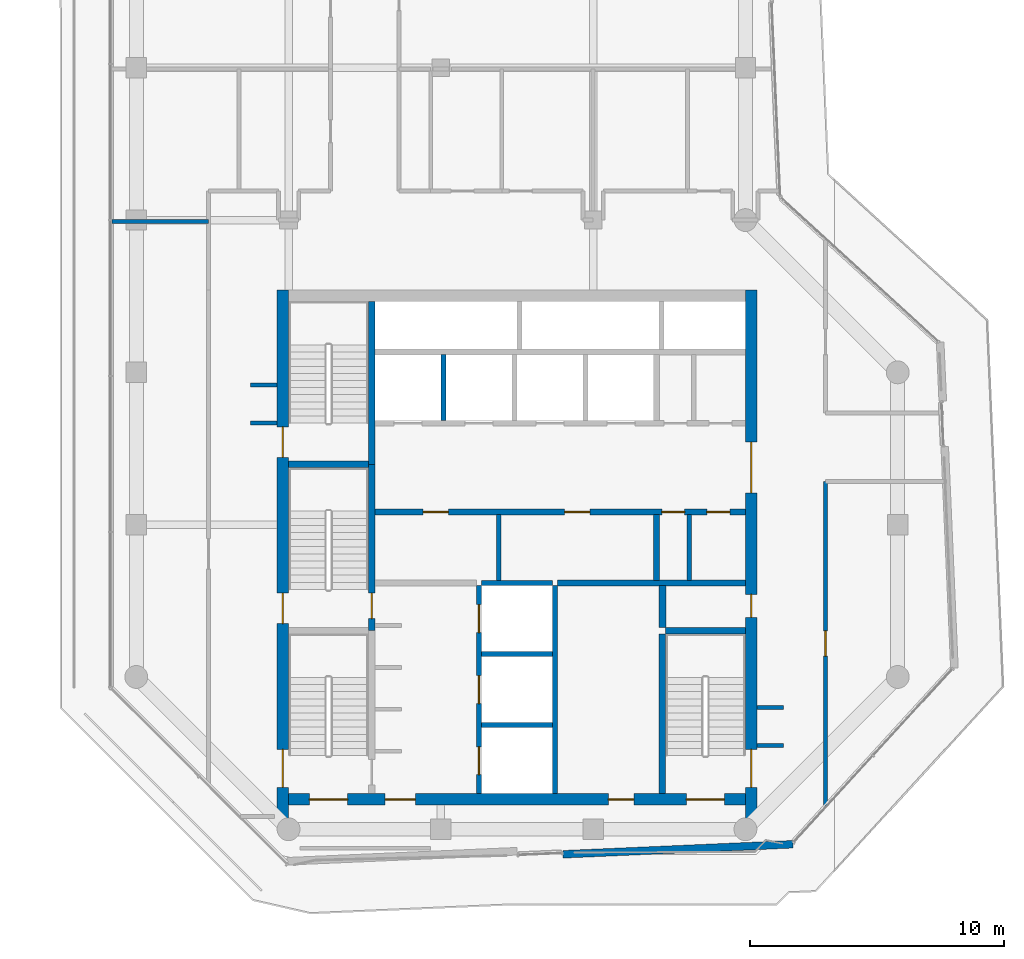
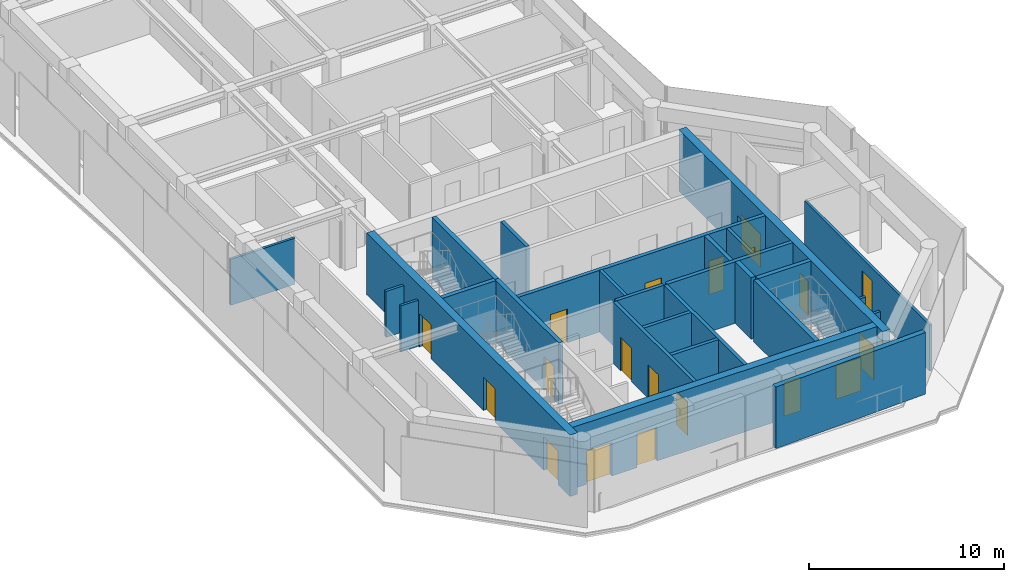
# One storey, part 17 of 21: 27 walls, 19 doors, 19 openings.
"""IFC4 building model written with IfcOpenShell, lengths in metres."""

from ifc_helpers import new_model, si_unit, direction, frame, frame_2d, origin, place, context, subcontext, project, spatial, rectangle, extrude, material, layer, layer_set, type_object, element, fill, save


model = new_model("IFC4")

# Units and contexts
model_context = context("Model", 3, precision=1e-05, world=origin(), true_north=direction((0.0, 1.0)))
body_context = subcontext(model_context, "Body", "Model", "MODEL_VIEW")
ifc_project = project(units=[si_unit("LENGTHUNIT", "METRE"), si_unit("AREAUNIT", "SQUARE_METRE"), si_unit("VOLUMEUNIT", "CUBIC_METRE"), si_unit("PLANEANGLEUNIT", "RADIAN"), si_unit("MASSUNIT", "GRAM", prefix="KILO")], contexts=[model_context])

# Site, building, storey
site_placement = place(None, origin())
site = spatial("IfcSite", under=ifc_project, at=site_placement, CompositionType="ELEMENT")
building_placement = place(site_placement, origin())
building = spatial("IfcBuilding", under=site, at=building_placement, Name="Welwitschia Terrace Campus", CompositionType="ELEMENT")
storey_placement = place(building_placement, frame((0.0, 0.0, 218.0)))
storey = spatial("IfcBuildingStorey", under=building, at=storey_placement, Name="L48", CompositionType="ELEMENT", Elevation=218.0)

# Walls
ifc_material_1 = material(Name="Concrete C32/40", Category="concrete")
ifc_layer_1 = layer(ifc_material_1, 0.175048828125)
ifc_layer_set_1 = layer_set([ifc_layer_1], Name="Concrete C32/40")
wall_type_1 = type_object("IfcWallType", Name="Core partition 175 Concrete C32/40", PredefinedType="PARTITIONING", material=ifc_layer_set_1)
for number, where, z_axis, x_axis, name in (
    (1, (14.27490234375, 13.800048828125, 0.0), (0.0, 0.0, 1.0), (0.0, 1.0, 0.0), "Core partition"),
    (2, (21.7900390625, 13.800048828125, 0.0), (0.0, 0.0, 1.0), (0.0, 1.0, 0.0), "Core partition"),
):
    element("IfcWall", number, at=place(storey_placement, frame(where, z_axis=z_axis, x_axis=x_axis)), inside=storey, type_object=wall_type_1, Name=name, PredefinedType="PARTITIONING", context=body_context, shape_type="SweptSolid", body=[
        extrude(rectangle(XDim=2.599853515625, YDim=0.175048828125, at=frame_2d((1.2998046875, 0.0))), origin(), (0.0, 0.0, 1.0), 3.85009765625),
    ])
ifc_material_2 = material(Name="Concrete C32/40", Category="concrete")
ifc_layer_2 = layer(ifc_material_2, 0.22509765625)
ifc_layer_set_2 = layer_set([ifc_layer_2], Name="Concrete C32/40")
wall_type_2 = type_object("IfcWallType", Name="Core partition 225 Concrete C32/40", PredefinedType="PARTITIONING", material=ifc_layer_set_2)
wall_1_placement = place(storey_placement, frame((16.60009765625, 13.699951171875, 0.0), z_axis=(0.0, 0.0, 1.0), x_axis=(1.0, 0.0, 0.0)))
element("IfcWall", 3, at=wall_1_placement, inside=storey, type_object=wall_type_2, Name="Core partition", PredefinedType="PARTITIONING", context=body_context, shape_type="SweptSolid", body=[
    extrude(rectangle(XDim=7.39990234375, YDim=0.22509765625, at=frame_2d((3.699951171875, 0.0))), origin(), (0.0, 0.0, 1.0), 3.85009765625),
])

# Wall, openings, doors
wall_2_placement = place(storey_placement, frame((9.39990234375, 16.5, 0.0), z_axis=(0.0, 0.0, 1.0), x_axis=(1.0, 0.0, 0.0)))
wall_2 = element("IfcWall", 4, at=wall_2_placement, inside=storey, type_object=wall_type_2, Name="Core partition", PredefinedType="PARTITIONING", context=body_context, shape_type="SweptSolid", body=[
    extrude(rectangle(XDim=14.60009765625, YDim=0.22509765625, at=frame_2d((7.300048828125, 0.0))), origin(), (0.0, 0.0, 1.0), 3.85009765625),
])
opening_1_placement = place(wall_2_placement, frame((1.89990234375, 0.0, 0.0)))
opening_1 = element("IfcOpeningElement", 5, at=opening_1_placement, cuts=wall_2, Name="Opening DR10", PredefinedType="OPENING", context=body_context, shape_type="SweptSolid", body=[
    extrude(rectangle(XDim=1.0, YDim=2.10009765625, at=frame_2d((0.5, 1.050048828125))), frame((0.0, 0.12255859375, 0.0), z_axis=(0.0, -1.0, 0.0), x_axis=(1.0, 0.0, 0.0)), (0.0, 0.0, 1.0), 0.2451171875),
])
opening_2_placement = place(wall_2_placement, frame((7.47509765625, 0.0, 0.0)))
opening_2 = element("IfcOpeningElement", 6, at=opening_2_placement, cuts=wall_2, Name="Opening DR10", PredefinedType="OPENING", context=body_context, shape_type="SweptSolid", body=[
    extrude(rectangle(XDim=1.0, YDim=2.10009765625, at=frame_2d((0.5, 1.050048828125))), frame((0.0, 0.12255859375, 0.0), z_axis=(0.0, -1.0, 0.0), x_axis=(1.0, 0.0, 0.0)), (0.0, 0.0, 1.0), 0.2451171875),
])
opening_3_placement = place(wall_2_placement, frame((11.3076171875, 0.0, 0.0)))
opening_3 = element("IfcOpeningElement", 7, at=opening_3_placement, cuts=wall_2, Name="Opening DR09", PredefinedType="OPENING", context=body_context, shape_type="SweptSolid", body=[
    extrude(rectangle(XDim=0.89990234375, YDim=2.10009765625, at=frame_2d((0.449951171875, 1.050048828125))), frame((0.0, 0.12255859375, 0.0), z_axis=(0.0, -1.0, 0.0), x_axis=(1.0, 0.0, 0.0)), (0.0, 0.0, 1.0), 0.2451171875),
])
opening_4_placement = place(wall_2_placement, frame((13.08251953125, 0.0, 0.0)))
opening_4 = element("IfcOpeningElement", 8, at=opening_4_placement, cuts=wall_2, Name="Opening DR09", PredefinedType="OPENING", context=body_context, shape_type="SweptSolid", body=[
    extrude(rectangle(XDim=0.89990234375, YDim=2.10009765625, at=frame_2d((0.449951171875, 1.050048828125))), frame((0.0, 0.12255859375, 0.0), z_axis=(0.0, -1.0, 0.0), x_axis=(1.0, 0.0, 0.0)), (0.0, 0.0, 1.0), 0.2451171875),
])
ifc_material_3 = material(Name="Steel S275", Category="steel")
door_type_1 = type_object("IfcDoorType", Name="Core door DR09", OperationType="SINGLE_SWING_LEFT", PredefinedType="DOOR", material=ifc_material_3)
door_1_placement = place(opening_3_placement, origin())
door_1 = element("IfcDoor", 9, at=door_1_placement, inside=storey, type_object=door_type_1, Name="Door EL1-D", OperationType="SINGLE_SWING_RIGHT", OverallHeight=2.10009765625, OverallWidth=0.89990234375, PredefinedType="DOOR", context=body_context, shape_type="SweptSolid", body=[
    extrude(rectangle(XDim=0.89990234375, YDim=2.10009765625, at=frame_2d((0.449951171875, 1.050048828125))), frame((0.0, 0.02490234375, 0.0), z_axis=(0.0, -1.0, 0.0), x_axis=(1.0, 0.0, 0.0)), (0.0, 0.0, 1.0), 0.050048828125),
])
fill(opening_3, door_1)
door_2_placement = place(opening_4_placement, origin())
door_2 = element("IfcDoor", 10, at=door_2_placement, inside=storey, type_object=door_type_1, Name="Door EL2-D", OperationType="SINGLE_SWING_RIGHT", OverallHeight=2.10009765625, OverallWidth=0.89990234375, PredefinedType="DOOR", context=body_context, shape_type="SweptSolid", body=[
    extrude(rectangle(XDim=0.89990234375, YDim=2.10009765625, at=frame_2d((0.449951171875, 1.050048828125))), frame((0.0, 0.02490234375, 0.0), z_axis=(0.0, -1.0, 0.0), x_axis=(1.0, 0.0, 0.0)), (0.0, 0.0, 1.0), 0.050048828125),
])
fill(opening_4, door_2)
ifc_material_4 = material(Name="Steel S275", Category="steel")
door_type_2 = type_object("IfcDoorType", Name="Core door DR10", OperationType="SINGLE_SWING_LEFT", PredefinedType="DOOR", material=ifc_material_4)
door_3_placement = place(opening_1_placement, origin())
door_3 = element("IfcDoor", 11, at=door_3_placement, inside=storey, type_object=door_type_2, Name="Door BAYL1-D", OperationType="SINGLE_SWING_LEFT", OverallHeight=2.10009765625, OverallWidth=1.0, PredefinedType="DOOR", context=body_context, shape_type="SweptSolid", body=[
    extrude(rectangle(XDim=1.0, YDim=2.10009765625, at=frame_2d((0.5, 1.050048828125))), frame((0.0, 0.02490234375, 0.0), z_axis=(0.0, -1.0, 0.0), x_axis=(1.0, 0.0, 0.0)), (0.0, 0.0, 1.0), 0.050048828125),
])
fill(opening_1, door_3)
door_4_placement = place(opening_2_placement, origin())
door_4 = element("IfcDoor", 12, at=door_4_placement, inside=storey, type_object=door_type_2, Name="Door BAYL2-D", OperationType="SINGLE_SWING_RIGHT", OverallHeight=2.10009765625, OverallWidth=1.0, PredefinedType="DOOR", context=body_context, shape_type="SweptSolid", body=[
    extrude(rectangle(XDim=1.0, YDim=2.10009765625, at=frame_2d((0.5, 1.050048828125))), frame((0.0, 0.02490234375, 0.0), z_axis=(0.0, -1.0, 0.0), x_axis=(1.0, 0.0, 0.0)), (0.0, 0.0, 1.0), 0.050048828125),
])
fill(opening_2, door_4)

# Walls
wall_3_placement = place(storey_placement, frame((20.5, 13.800048828125, 0.0), z_axis=(0.0, 0.0, 1.0), x_axis=(0.0, 1.0, 0.0)))
element("IfcWall", 13, at=wall_3_placement, inside=storey, type_object=wall_type_2, Name="Core partition", PredefinedType="PARTITIONING", context=body_context, shape_type="SweptSolid", body=[
    extrude(rectangle(XDim=2.599853515625, YDim=0.22509765625, at=frame_2d((1.2998046875, 0.0))), origin(), (0.0, 0.0, 1.0), 3.85009765625),
])
ifc_material_5 = material(Name="Concrete C32/40", Category="concrete")
ifc_layer_3 = layer(ifc_material_5, 0.27490234375)
ifc_layer_set_3 = layer_set([ifc_layer_3], Name="Concrete C32/40")
wall_type_3 = type_object("IfcWallType", Name="Core partition 275 Concrete C32/40", PredefinedType="PARTITIONING", material=ifc_layer_set_3)
wall_4_placement = place(storey_placement, frame((20.72509765625, 11.949951171875, 0.0), z_axis=(0.0, 0.0, 1.0), x_axis=(0.0, 1.0, 0.0)))
element("IfcWall", 14, at=wall_4_placement, inside=storey, type_object=wall_type_3, Name="Core partition", PredefinedType="PARTITIONING", context=body_context, shape_type="SweptSolid", body=[
    extrude(rectangle(XDim=1.650146484375, YDim=0.27490234375, at=frame_2d((0.8251953125, 0.0))), origin(), (0.0, 0.0, 1.0), 3.85009765625),
])
ifc_material_6 = material(Name="Concrete C50/60", Category="concrete")
ifc_layer_4 = layer(ifc_material_6, 0.199951171875)
ifc_layer_set_4 = layer_set([ifc_layer_4], Name="Concrete C50/60")
wall_type_4 = type_object("IfcWallType", Name="Core wall 200 Concrete C50/60", PredefinedType="SHEAR", material=ifc_layer_set_4)
for number, where, z_axis, x_axis, name in (
    (15, (13.60009765625, 8.10009765625, 0.0), (0.0, 0.0, 1.0), (1.0, 0.0, 0.0), "Core wall"),
    (16, (13.60009765625, 10.89990234375, 0.0), (0.0, 0.0, 1.0), (1.0, 0.0, 0.0), "Core wall"),
    (17, (13.60009765625, 13.699951171875, 0.0), (0.0, 0.0, 1.0), (1.0, 0.0, 0.0), "Core wall"),
):
    element("IfcWall", number, at=place(storey_placement, frame(where, z_axis=z_axis, x_axis=x_axis)), inside=storey, type_object=wall_type_4, Name=name, PredefinedType="SHEAR", context=body_context, shape_type="SweptSolid", body=[
        extrude(rectangle(XDim=2.7998046875, YDim=0.199951171875, at=frame_2d((1.39990234375, 0.0))), origin(), (0.0, 0.0, 1.0), 3.85009765625),
    ])

# Wall, openings, doors
wall_5_placement = place(storey_placement, frame((13.5, 5.39990234375, 0.0), z_axis=(0.0, 0.0, 1.0), x_axis=(0.0, 1.0, 0.0)))
wall_5 = element("IfcWall", 18, at=wall_5_placement, inside=storey, type_object=wall_type_4, Name="Core wall", PredefinedType="SHEAR", context=body_context, shape_type="SweptSolid", body=[
    extrude(rectangle(XDim=8.2001953125, YDim=0.199951171875, at=frame_2d((4.10009765625, 0.0))), origin(), (0.0, 0.0, 1.0), 3.85009765625),
])
opening_5_placement = place(wall_5_placement, frame((0.75, 0.0, 0.0)))
opening_5 = element("IfcOpeningElement", 19, at=opening_5_placement, cuts=wall_5, Name="Opening LD", PredefinedType="OPENING", context=body_context, shape_type="SweptSolid", body=[
    extrude(rectangle(XDim=1.10009765625, YDim=2.10009765625, at=frame_2d((0.550048828125, 1.050048828125))), frame((0.0, 0.10986328125, 0.0), z_axis=(0.0, -1.0, 0.0), x_axis=(1.0, 0.0, 0.0)), (0.0, 0.0, 1.0), 0.219970703125),
])
opening_6_placement = place(wall_5_placement, frame((3.550048828125, 0.0, 0.0)))
opening_6 = element("IfcOpeningElement", 20, at=opening_6_placement, cuts=wall_5, Name="Opening LD", PredefinedType="OPENING", context=body_context, shape_type="SweptSolid", body=[
    extrude(rectangle(XDim=1.10009765625, YDim=2.10009765625, at=frame_2d((0.550048828125, 1.050048828125))), frame((0.0, 0.10986328125, 0.0), z_axis=(0.0, -1.0, 0.0), x_axis=(1.0, 0.0, 0.0)), (0.0, 0.0, 1.0), 0.219970703125),
])
opening_7_placement = place(wall_5_placement, frame((6.35009765625, 0.0, 0.0)))
opening_7 = element("IfcOpeningElement", 21, at=opening_7_placement, cuts=wall_5, Name="Opening LD", PredefinedType="OPENING", context=body_context, shape_type="SweptSolid", body=[
    extrude(rectangle(XDim=1.10009765625, YDim=2.10009765625, at=frame_2d((0.550048828125, 1.050048828125))), frame((0.0, 0.10986328125, 0.0), z_axis=(0.0, -1.0, 0.0), x_axis=(1.0, 0.0, 0.0)), (0.0, 0.0, 1.0), 0.219970703125),
])
ifc_material_7 = material(Name="Stainless steel 304", Category="steel")
door_type_3 = type_object("IfcDoorType", Name="Lift landing door", OperationType="DOUBLE_DOOR_SLIDING", PredefinedType="DOOR", material=ifc_material_7)
door_5_placement = place(opening_5_placement, origin())
door_5 = element("IfcDoor", 22, at=door_5_placement, inside=storey, type_object=door_type_3, Name="Landing door FF1", OperationType="DOUBLE_DOOR_SLIDING", OverallHeight=2.10009765625, OverallWidth=1.10009765625, PredefinedType="DOOR", context=body_context, shape_type="SweptSolid", body=[
    extrude(rectangle(XDim=1.10009765625, YDim=2.10009765625, at=frame_2d((0.550048828125, 1.050048828125))), frame((0.0, 0.02490234375, 0.0), z_axis=(0.0, -1.0, 0.0), x_axis=(1.0, 0.0, 0.0)), (0.0, 0.0, 1.0), 0.050048828125),
])
fill(opening_5, door_5)
door_6_placement = place(opening_6_placement, origin())
door_6 = element("IfcDoor", 23, at=door_6_placement, inside=storey, type_object=door_type_3, Name="Landing door FF2", OperationType="DOUBLE_DOOR_SLIDING", OverallHeight=2.10009765625, OverallWidth=1.10009765625, PredefinedType="DOOR", context=body_context, shape_type="SweptSolid", body=[
    extrude(rectangle(XDim=1.10009765625, YDim=2.10009765625, at=frame_2d((0.550048828125, 1.050048828125))), frame((0.0, 0.02490234375, 0.0), z_axis=(0.0, -1.0, 0.0), x_axis=(1.0, 0.0, 0.0)), (0.0, 0.0, 1.0), 0.050048828125),
])
fill(opening_6, door_6)
door_7_placement = place(opening_7_placement, origin())
door_7 = element("IfcDoor", 24, at=door_7_placement, inside=storey, type_object=door_type_3, Name="Landing door SV1", OperationType="DOUBLE_DOOR_SLIDING", OverallHeight=2.10009765625, OverallWidth=1.10009765625, PredefinedType="DOOR", context=body_context, shape_type="SweptSolid", body=[
    extrude(rectangle(XDim=1.10009765625, YDim=2.10009765625, at=frame_2d((0.550048828125, 1.050048828125))), frame((0.0, 0.02490234375, 0.0), z_axis=(0.0, -1.0, 0.0), x_axis=(1.0, 0.0, 0.0)), (0.0, 0.0, 1.0), 0.050048828125),
])
fill(opening_7, door_7)

# Walls
wall_6_placement = place(storey_placement, frame((16.5, 5.39990234375, 0.0), z_axis=(0.0, 0.0, 1.0), x_axis=(0.0, 1.0, 0.0)))
element("IfcWall", 25, at=wall_6_placement, inside=storey, type_object=wall_type_4, Name="Core wall", PredefinedType="SHEAR", context=body_context, shape_type="SweptSolid", body=[
    extrude(rectangle(XDim=8.2001953125, YDim=0.199951171875, at=frame_2d((4.10009765625, 0.0))), origin(), (0.0, 0.0, 1.0), 3.85009765625),
])
ifc_material_8 = material(Name="Concrete C50/60", Category="concrete")
ifc_layer_5 = layer(ifc_material_8, 0.25)
ifc_layer_set_5 = layer_set([ifc_layer_5], Name="Concrete C50/60")
wall_type_5 = type_object("IfcWallType", Name="Core wall 250 Concrete C50/60", PredefinedType="SHEAR", material=ifc_layer_set_5)
for number, where, z_axis, x_axis, name in (
    (26, (20.85009765625, 11.824951171875, 0.0), (0.0, 0.0, 1.0), (1.0, 0.0, 0.0), "Core wall"),
    (27, (6.0, 18.375, 0.0), (0.0, 0.0, 1.0), (1.0, 0.0, 0.0), "Core wall"),
):
    element("IfcWall", number, at=place(storey_placement, frame(where, z_axis=z_axis, x_axis=x_axis)), inside=storey, type_object=wall_type_5, Name=name, PredefinedType="SHEAR", context=body_context, shape_type="SweptSolid", body=[
        extrude(rectangle(XDim=3.14990234375, YDim=0.25, at=frame_2d((1.574951171875, 0.0))), origin(), (0.0, 0.0, 1.0), 3.85009765625),
    ])

# Wall, opening, door
wall_7_placement = place(storey_placement, frame((9.27490234375, 18.375, 0.0), z_axis=(0.0, 0.0, 1.0), x_axis=(0.0, -1.0, 0.0)))
wall_7 = element("IfcWall", 28, at=wall_7_placement, inside=storey, type_object=wall_type_5, Name="Core wall", PredefinedType="SHEAR", context=body_context, shape_type="SweptSolid", body=[
    extrude(rectangle(XDim=6.550048828125, YDim=0.25, at=frame_2d((3.27490234375, 0.0))), origin(), (0.0, 0.0, 1.0), 3.85009765625),
])
opening_8_placement = place(wall_7_placement, frame((5.074951171875, 0.0, 0.0)))
opening_8 = element("IfcOpeningElement", 29, at=opening_8_placement, cuts=wall_7, Name="Opening DS10", PredefinedType="OPENING", context=body_context, shape_type="SweptSolid", body=[
    extrude(rectangle(XDim=1.0, YDim=2.10009765625, at=frame_2d((0.5, 1.050048828125))), frame((0.0, 0.135009765625, 0.0), z_axis=(0.0, -1.0, 0.0), x_axis=(1.0, 0.0, 0.0)), (0.0, 0.0, 1.0), 0.27001953125),
])
ifc_material_9 = material(Name="Steel S275", Category="steel")
door_type_4 = type_object("IfcDoorType", Name="Core door DS10", OperationType="SINGLE_SWING_LEFT", PredefinedType="DOOR", material=ifc_material_9)
door_8_placement = place(opening_8_placement, origin())
door_8 = element("IfcDoor", 30, at=door_8_placement, inside=storey, type_object=door_type_4, Name="Door S3-FL", OperationType="SINGLE_SWING_RIGHT", OverallHeight=2.10009765625, OverallWidth=1.0, PredefinedType="DOOR", context=body_context, shape_type="SweptSolid", body=[
    extrude(rectangle(XDim=1.0, YDim=2.10009765625, at=frame_2d((0.5, 1.050048828125))), frame((0.0, 0.02490234375, 0.0), z_axis=(0.0, -1.0, 0.0), x_axis=(1.0, 0.0, 0.0)), (0.0, 0.0, 1.0), 0.050048828125),
])
fill(opening_8, door_8)

# Walls
wall_8_placement = place(storey_placement, frame((9.27490234375, 18.375, 0.0), z_axis=(0.0, 0.0, 1.0), x_axis=(0.0, 1.0, 0.0)))
element("IfcWall", 31, at=wall_8_placement, inside=storey, type_object=wall_type_5, Name="Core wall", PredefinedType="SHEAR", context=body_context, shape_type="SweptSolid", body=[
    extrude(rectangle(XDim=6.425048828125, YDim=0.25, at=frame_2d((3.21240234375, 0.0))), origin(), (0.0, 0.0, 1.0), 3.85009765625),
])
wall_9_placement = place(storey_placement, frame((20.72509765625, 5.39990234375, 0.0), z_axis=(0.0, 0.0, 1.0), x_axis=(0.0, 1.0, 0.0)))
element("IfcWall", 32, at=wall_9_placement, inside=storey, type_object=wall_type_5, Name="Core wall", PredefinedType="SHEAR", context=body_context, shape_type="SweptSolid", body=[
    extrude(rectangle(XDim=6.300048828125, YDim=0.25, at=frame_2d((3.14990234375, 0.0))), origin(), (0.0, 0.0, 1.0), 3.85009765625),
])

# Wall, openings, doors
ifc_material_10 = material(Name="Concrete C60/75", Category="concrete")
ifc_layer_6 = layer(ifc_material_10, 0.449951171875)
ifc_layer_set_6 = layer_set([ifc_layer_6], Name="Concrete C60/75")
wall_type_6 = type_object("IfcWallType", Name="Core wall 450 Concrete C60/75", PredefinedType="SHEAR", material=ifc_layer_set_6)
wall_10_placement = place(storey_placement, frame((5.77490234375, 4.419921875, 0.0), z_axis=(0.0, 0.0, 1.0), x_axis=(0.0, 1.0, 0.0)))
wall_10 = element("IfcWall", 33, at=wall_10_placement, inside=storey, type_object=wall_type_6, Name="Core outer wall", PredefinedType="SHEAR", context=body_context, shape_type="SweptSolid", body=[
    extrude(rectangle(XDim=20.830078125, YDim=0.449951171875, at=frame_2d((10.4150390625, 0.0))), origin(), (0.0, 0.0, 1.0), 3.85009765625),
])
opening_9_placement = place(wall_10_placement, frame((1.22998046875, 0.0, 0.0)))
opening_9 = element("IfcOpeningElement", 34, at=opening_9_placement, cuts=wall_10, Name="Opening DS15", PredefinedType="OPENING", context=body_context, shape_type="SweptSolid", body=[
    extrude(rectangle(XDim=1.5, YDim=2.10009765625, at=frame_2d((0.75, 1.050048828125))), frame((0.0, 0.23486328125, 0.0), z_axis=(0.0, -1.0, 0.0), x_axis=(1.0, 0.0, 0.0)), (0.0, 0.0, 1.0), 0.469970703125),
])
opening_10_placement = place(wall_10_placement, frame((7.679931640625, 0.0, 0.0)))
opening_10 = element("IfcOpeningElement", 35, at=opening_10_placement, cuts=wall_10, Name="Opening DS12", PredefinedType="OPENING", context=body_context, shape_type="SweptSolid", body=[
    extrude(rectangle(XDim=1.199951171875, YDim=2.10009765625, at=frame_2d((0.60009765625, 1.050048828125))), frame((0.0, 0.23486328125, 0.0), z_axis=(0.0, -1.0, 0.0), x_axis=(1.0, 0.0, 0.0)), (0.0, 0.0, 1.0), 0.469970703125),
])
opening_11_placement = place(wall_10_placement, frame((14.22998046875, 0.0, 0.0)))
opening_11 = element("IfcOpeningElement", 36, at=opening_11_placement, cuts=wall_10, Name="Opening DS12", PredefinedType="OPENING", context=body_context, shape_type="SweptSolid", body=[
    extrude(rectangle(XDim=1.199951171875, YDim=2.10009765625, at=frame_2d((0.60009765625, 1.050048828125))), frame((0.0, 0.23486328125, 0.0), z_axis=(0.0, -1.0, 0.0), x_axis=(1.0, 0.0, 0.0)), (0.0, 0.0, 1.0), 0.469970703125),
])
ifc_material_11 = material(Name="Steel S275", Category="steel")
door_type_5 = type_object("IfcDoorType", Name="Core door DS12", OperationType="SINGLE_SWING_LEFT", PredefinedType="DOOR", material=ifc_material_11)
door_9_placement = place(opening_10_placement, origin())
door_9 = element("IfcDoor", 37, at=door_9_placement, inside=storey, type_object=door_type_5, Name="Door S3-out", OperationType="SINGLE_SWING_LEFT", OverallHeight=2.10009765625, OverallWidth=1.199951171875, PredefinedType="DOOR", context=body_context, shape_type="SweptSolid", body=[
    extrude(rectangle(XDim=1.199951171875, YDim=2.10009765625, at=frame_2d((0.60009765625, 1.050048828125))), frame((0.0, 0.02490234375, 0.0), z_axis=(0.0, -1.0, 0.0), x_axis=(1.0, 0.0, 0.0)), (0.0, 0.0, 1.0), 0.050048828125),
])
fill(opening_10, door_9)
door_10_placement = place(opening_11_placement, origin())
door_10 = element("IfcDoor", 38, at=door_10_placement, inside=storey, type_object=door_type_5, Name="Door S4-out", OperationType="SINGLE_SWING_RIGHT", OverallHeight=2.10009765625, OverallWidth=1.199951171875, PredefinedType="DOOR", context=body_context, shape_type="SweptSolid", body=[
    extrude(rectangle(XDim=1.199951171875, YDim=2.10009765625, at=frame_2d((0.60009765625, 1.050048828125))), frame((0.0, 0.02490234375, 0.0), z_axis=(0.0, -1.0, 0.0), x_axis=(1.0, 0.0, 0.0)), (0.0, 0.0, 1.0), 0.050048828125),
])
fill(opening_11, door_10)
ifc_material_12 = material(Name="Steel S275", Category="steel")
door_type_6 = type_object("IfcDoorType", Name="Core door DS15", OperationType="DOUBLE_DOOR_SINGLE_SWING", PredefinedType="DOOR", material=ifc_material_12)
door_11_placement = place(opening_9_placement, origin())
door_11 = element("IfcDoor", 39, at=door_11_placement, inside=storey, type_object=door_type_6, Name="Door S1-out", OperationType="DOUBLE_DOOR_SINGLE_SWING", OverallHeight=2.10009765625, OverallWidth=1.5, PredefinedType="DOOR", context=body_context, shape_type="SweptSolid", body=[
    extrude(rectangle(XDim=1.5, YDim=2.10009765625, at=frame_2d((0.75, 1.050048828125))), frame((0.0, 0.02490234375, 0.0), z_axis=(0.0, -1.0, 0.0), x_axis=(1.0, 0.0, 0.0)), (0.0, 0.0, 1.0), 0.050048828125),
])
fill(opening_9, door_11)

wall_11_placement = place(storey_placement, frame((24.22509765625, 25.25, 0.0), z_axis=(0.0, 0.0, 1.0), x_axis=(0.0, -1.0, 0.0)))
wall_11 = element("IfcWall", 40, at=wall_11_placement, inside=storey, type_object=wall_type_6, Name="Core outer wall", PredefinedType="SHEAR", context=body_context, shape_type="SweptSolid", body=[
    extrude(rectangle(XDim=20.830078125, YDim=0.449951171875, at=frame_2d((10.4150390625, 0.0))), origin(), (0.0, 0.0, 1.0), 3.85009765625),
])
opening_12_placement = place(wall_11_placement, frame((18.10009765625, 0.0, 0.0)))
opening_12 = element("IfcOpeningElement", 41, at=opening_12_placement, cuts=wall_11, Name="Opening DS15", PredefinedType="OPENING", context=body_context, shape_type="SweptSolid", body=[
    extrude(rectangle(XDim=1.5, YDim=2.10009765625, at=frame_2d((0.75, 1.050048828125))), frame((0.0, 0.23486328125, 0.0), z_axis=(0.0, -1.0, 0.0), x_axis=(1.0, 0.0, 0.0)), (0.0, 0.0, 1.0), 0.469970703125),
])
opening_13_placement = place(wall_11_placement, frame((12.0, 0.0, 0.0)))
opening_13 = element("IfcOpeningElement", 42, at=opening_13_placement, cuts=wall_11, Name="Opening DR09", PredefinedType="OPENING", context=body_context, shape_type="SweptSolid", body=[
    extrude(rectangle(XDim=0.89990234375, YDim=2.10009765625, at=frame_2d((0.449951171875, 1.050048828125))), frame((0.0, 0.23486328125, 0.0), z_axis=(0.0, -1.0, 0.0), x_axis=(1.0, 0.0, 0.0)), (0.0, 0.0, 1.0), 0.469970703125),
])
opening_14_placement = place(wall_11_placement, frame((6.0, 0.0, 0.0)))
opening_14 = element("IfcOpeningElement", 43, at=opening_14_placement, cuts=wall_11, Name="Opening DL20", PredefinedType="OPENING", context=body_context, shape_type="SweptSolid", body=[
    extrude(rectangle(XDim=2.0, YDim=2.10009765625, at=frame_2d((1.0, 1.050048828125))), frame((0.0, 0.23486328125, 0.0), z_axis=(0.0, -1.0, 0.0), x_axis=(1.0, 0.0, 0.0)), (0.0, 0.0, 1.0), 0.469970703125),
])
ifc_material_13 = material(Name="Steel S275", Category="steel")
door_type_7 = type_object("IfcDoorType", Name="Core door DL20", OperationType="DOUBLE_DOOR_SINGLE_SWING", PredefinedType="DOOR", material=ifc_material_13)
door_12_placement = place(opening_14_placement, origin())
door_12 = element("IfcDoor", 44, at=door_12_placement, inside=storey, type_object=door_type_7, Name="Door LOBBY-out", OperationType="DOUBLE_DOOR_SINGLE_SWING", OverallHeight=2.10009765625, OverallWidth=2.0, PredefinedType="DOOR", context=body_context, shape_type="SweptSolid", body=[
    extrude(rectangle(XDim=2.0, YDim=2.10009765625, at=frame_2d((1.0, 1.050048828125))), frame((0.0, 0.02490234375, 0.0), z_axis=(0.0, -1.0, 0.0), x_axis=(1.0, 0.0, 0.0)), (0.0, 0.0, 1.0), 0.050048828125),
])
fill(opening_14, door_12)
door_13_placement = place(opening_13_placement, origin())
door_13 = element("IfcDoor", 45, at=door_13_placement, inside=storey, type_object=door_type_1, Name="Door F1B-out", OperationType="SINGLE_SWING_RIGHT", OverallHeight=2.10009765625, OverallWidth=0.89990234375, PredefinedType="DOOR", context=body_context, shape_type="SweptSolid", body=[
    extrude(rectangle(XDim=0.89990234375, YDim=2.10009765625, at=frame_2d((0.449951171875, 1.050048828125))), frame((0.0, 0.02490234375, 0.0), z_axis=(0.0, -1.0, 0.0), x_axis=(1.0, 0.0, 0.0)), (0.0, 0.0, 1.0), 0.050048828125),
])
fill(opening_13, door_13)
door_14_placement = place(opening_12_placement, origin())
door_14 = element("IfcDoor", 46, at=door_14_placement, inside=storey, type_object=door_type_6, Name="Door S2-out", OperationType="DOUBLE_DOOR_SINGLE_SWING", OverallHeight=2.10009765625, OverallWidth=1.5, PredefinedType="DOOR", context=body_context, shape_type="SweptSolid", body=[
    extrude(rectangle(XDim=1.5, YDim=2.10009765625, at=frame_2d((0.75, 1.050048828125))), frame((0.0, 0.02490234375, 0.0), z_axis=(0.0, -1.0, 0.0), x_axis=(1.0, 0.0, 0.0)), (0.0, 0.0, 1.0), 0.050048828125),
])
fill(opening_12, door_14)

wall_12_placement = place(storey_placement, frame((24.0, 5.175048828125, 0.0), z_axis=(0.0, 0.0, 1.0), x_axis=(-1.0, 0.0, 0.0)))
wall_12 = element("IfcWall", 47, at=wall_12_placement, inside=storey, type_object=wall_type_6, Name="Core outer wall", PredefinedType="SHEAR", context=body_context, shape_type="SweptSolid", body=[
    extrude(rectangle(XDim=18.0, YDim=0.449951171875, at=frame_2d((9.0, 0.0))), origin(), (0.0, 0.0, 1.0), 3.85009765625),
])
opening_15_placement = place(wall_12_placement, frame((0.824951171875, 0.0, 0.0)))
opening_15 = element("IfcOpeningElement", 48, at=opening_15_placement, cuts=wall_12, Name="Opening DS15", PredefinedType="OPENING", context=body_context, shape_type="SweptSolid", body=[
    extrude(rectangle(XDim=1.5, YDim=2.10009765625, at=frame_2d((0.75, 1.050048828125))), frame((0.0, 0.23486328125, 0.0), z_axis=(0.0, -1.0, 0.0), x_axis=(1.0, 0.0, 0.0)), (0.0, 0.0, 1.0), 0.469970703125),
])
opening_16_placement = place(wall_12_placement, frame((15.675048828125, 0.0, 0.0)))
opening_16 = element("IfcOpeningElement", 49, at=opening_16_placement, cuts=wall_12, Name="Opening DS15", PredefinedType="OPENING", context=body_context, shape_type="SweptSolid", body=[
    extrude(rectangle(XDim=1.5, YDim=2.10009765625, at=frame_2d((0.75, 1.050048828125))), frame((0.0, 0.23486328125, 0.0), z_axis=(0.0, -1.0, 0.0), x_axis=(1.0, 0.0, 0.0)), (0.0, 0.0, 1.0), 0.469970703125),
])
opening_17_placement = place(wall_12_placement, frame((13.0, 0.0, 0.0)))
opening_17 = element("IfcOpeningElement", 50, at=opening_17_placement, cuts=wall_12, Name="Opening DF12", PredefinedType="OPENING", context=body_context, shape_type="SweptSolid", body=[
    extrude(rectangle(XDim=1.199951171875, YDim=2.10009765625, at=frame_2d((0.60009765625, 1.050048828125))), frame((0.0, 0.23486328125, 0.0), z_axis=(0.0, -1.0, 0.0), x_axis=(1.0, 0.0, 0.0)), (0.0, 0.0, 1.0), 0.469970703125),
])
opening_18_placement = place(wall_12_placement, frame((4.39990234375, 0.0, 0.0)))
opening_18 = element("IfcOpeningElement", 51, at=opening_18_placement, cuts=wall_12, Name="Opening DR10", PredefinedType="OPENING", context=body_context, shape_type="SweptSolid", body=[
    extrude(rectangle(XDim=1.0, YDim=2.10009765625, at=frame_2d((0.5, 1.050048828125))), frame((0.0, 0.23486328125, 0.0), z_axis=(0.0, -1.0, 0.0), x_axis=(1.0, 0.0, 0.0)), (0.0, 0.0, 1.0), 0.469970703125),
])
ifc_material_14 = material(Name="Steel S275", Category="steel")
door_type_8 = type_object("IfcDoorType", Name="Core door DF12", OperationType="SINGLE_SWING_LEFT", PredefinedType="DOOR", material=ifc_material_14)
door_15_placement = place(opening_17_placement, origin())
door_15 = element("IfcDoor", 52, at=door_15_placement, inside=storey, type_object=door_type_8, Name="Door FL-out", OperationType="SINGLE_SWING_RIGHT", OverallHeight=2.10009765625, OverallWidth=1.199951171875, PredefinedType="DOOR", context=body_context, shape_type="SweptSolid", body=[
    extrude(rectangle(XDim=1.199951171875, YDim=2.10009765625, at=frame_2d((0.60009765625, 1.050048828125))), frame((0.0, 0.02490234375, 0.0), z_axis=(0.0, -1.0, 0.0), x_axis=(1.0, 0.0, 0.0)), (0.0, 0.0, 1.0), 0.050048828125),
])
fill(opening_17, door_15)
door_16_placement = place(opening_18_placement, origin())
door_16 = element("IfcDoor", 53, at=door_16_placement, inside=storey, type_object=door_type_2, Name="Door F1-out", OperationType="SINGLE_SWING_LEFT", OverallHeight=2.10009765625, OverallWidth=1.0, PredefinedType="DOOR", context=body_context, shape_type="SweptSolid", body=[
    extrude(rectangle(XDim=1.0, YDim=2.10009765625, at=frame_2d((0.5, 1.050048828125))), frame((0.0, 0.02490234375, 0.0), z_axis=(0.0, -1.0, 0.0), x_axis=(1.0, 0.0, 0.0)), (0.0, 0.0, 1.0), 0.050048828125),
])
fill(opening_18, door_16)
door_17_placement = place(opening_15_placement, origin())
door_17 = element("IfcDoor", 54, at=door_17_placement, inside=storey, type_object=door_type_6, Name="Door S2-outS", OperationType="DOUBLE_DOOR_SINGLE_SWING", OverallHeight=2.10009765625, OverallWidth=1.5, PredefinedType="DOOR", context=body_context, shape_type="SweptSolid", body=[
    extrude(rectangle(XDim=1.5, YDim=2.10009765625, at=frame_2d((0.75, 1.050048828125))), frame((0.0, 0.02490234375, 0.0), z_axis=(0.0, -1.0, 0.0), x_axis=(1.0, 0.0, 0.0)), (0.0, 0.0, 1.0), 0.050048828125),
])
fill(opening_15, door_17)
door_18_placement = place(opening_16_placement, origin())
door_18 = element("IfcDoor", 55, at=door_18_placement, inside=storey, type_object=door_type_6, Name="Door S1-outS", OperationType="DOUBLE_DOOR_SINGLE_SWING", OverallHeight=2.10009765625, OverallWidth=1.5, PredefinedType="DOOR", context=body_context, shape_type="SweptSolid", body=[
    extrude(rectangle(XDim=1.5, YDim=2.10009765625, at=frame_2d((0.75, 1.050048828125))), frame((0.0, 0.02490234375, 0.0), z_axis=(0.0, -1.0, 0.0), x_axis=(1.0, 0.0, 0.0)), (0.0, 0.0, 1.0), 0.050048828125),
])
fill(opening_16, door_18)

# Walls
ifc_material_15 = material(Name="Gypsum board on steel studs", Category="steel")
ifc_layer_7 = layer(ifc_material_15, 0.14990234375)
ifc_layer_set_7 = layer_set([ifc_layer_7], Name="Gypsum board on steel studs")
wall_type_7 = type_object("IfcWallType", Name="Corridor partition 150 EI 30", PredefinedType="PARTITIONING", material=ifc_layer_set_7)
wall_13_placement = place(storey_placement, frame((-0.965087890625, 27.949951171875, 0.0), z_axis=(0.0, 0.0, 1.0), x_axis=(1.0, 0.0, 0.0)))
element("IfcWall", 56, at=wall_13_placement, inside=storey, type_object=wall_type_7, Name="Partition", PredefinedType="PARTITIONING", context=body_context, shape_type="SweptSolid", body=[
    extrude(rectangle(XDim=3.815185546875, YDim=0.14990234375, at=frame_2d((1.90771484375, 0.0))), origin(), (0.0, 0.0, 1.0), 2.8798828125),
])
for number, where, z_axis, x_axis, name in (
    (57, (4.5, 20.0, 0.0), (0.0, 0.0, 1.0), (1.0, 0.0, 0.0), "Partition"),
    (58, (4.5, 21.5, 0.0), (0.0, 0.0, 1.0), (1.0, 0.0, 0.0), "Partition"),
    (59, (24.449951171875, 7.300048828125, 0.0), (0.0, 0.0, 1.0), (1.0, 0.0, 0.0), "Partition"),
    (60, (24.449951171875, 8.800048828125, 0.0), (0.0, 0.0, 1.0), (1.0, 0.0, 0.0), "Partition"),
):
    element("IfcWall", number, at=place(storey_placement, frame(where, z_axis=z_axis, x_axis=x_axis)), inside=storey, type_object=wall_type_7, Name=name, PredefinedType="PARTITIONING", context=body_context, shape_type="SweptSolid", body=[
        extrude(rectangle(XDim=1.050048828125, YDim=0.14990234375, at=frame_2d((0.52490234375, 0.0))), origin(), (0.0, 0.0, 1.0), 2.8798828125),
    ])

# Wall, opening, door
wall_14_placement = place(storey_placement, frame((27.14990234375, 17.699951171875, 0.0), z_axis=(0.0, 0.0, 1.0), x_axis=(0.0, -1.0, 0.0)))
wall_14 = element("IfcWall", 61, at=wall_14_placement, inside=storey, type_object=wall_type_7, Name="Partition", PredefinedType="PARTITIONING", context=body_context, shape_type="SweptSolid", body=[
    extrude(rectangle(XDim=12.780029296875, YDim=0.14990234375, at=frame_2d((6.39013671875, 0.0))), origin(), (0.0, 0.0, 1.0), 2.8798828125),
])
opening_19_placement = place(wall_14_placement, frame((5.8798828125, 0.0, 0.0)))
opening_19 = element("IfcOpeningElement", 62, at=opening_19_placement, cuts=wall_14, Name="Opening DI10", PredefinedType="OPENING", context=body_context, shape_type="SweptSolid", body=[
    extrude(rectangle(XDim=1.0, YDim=2.10009765625, at=frame_2d((0.5, 1.050048828125))), frame((0.0, 0.0849609375, 0.0), z_axis=(0.0, -1.0, 0.0), x_axis=(1.0, 0.0, 0.0)), (0.0, 0.0, 1.0), 0.169921875),
])
ifc_material_16 = material(Name="Timber veneered door", Category="wood")
door_type_9 = type_object("IfcDoorType", Name="Interior door DI10", OperationType="NOTDEFINED", PredefinedType="DOOR", material=ifc_material_16)
door_19_placement = place(opening_19_placement, origin())
door_19 = element("IfcDoor", 63, at=door_19_placement, inside=storey, type_object=door_type_9, Name="Door L48 912", OperationType="SINGLE_SWING_LEFT", OverallHeight=2.10009765625, OverallWidth=1.0, PredefinedType="DOOR", context=body_context, shape_type="SweptSolid", body=[
    extrude(rectangle(XDim=1.0, YDim=2.10009765625, at=frame_2d((0.5, 1.050048828125))), frame((0.0, 0.02490234375, 0.0), z_axis=(0.0, -1.0, 0.0), x_axis=(1.0, 0.0, 0.0)), (0.0, 0.0, 1.0), 0.050048828125),
])
fill(opening_19, door_19)

# Walls
ifc_material_17 = material(Name="Concrete C40/50", Category="concrete")
ifc_layer_8 = layer(ifc_material_17, 0.300048828125)
ifc_layer_set_8 = layer_set([ifc_layer_8], Name="Concrete C40/50")
wall_type_8 = type_object("IfcWallType", Name="Mass wall 300", PredefinedType="SOLIDWALL", material=ifc_layer_set_8)
wall_15_placement = place(storey_placement, frame((16.816162109375, 3.0126953125, 0.0), z_axis=(0.0, 0.0, 1.0), x_axis=(0.99904857496, 0.043611292917, 0.0)))
element("IfcWall", 64, at=wall_15_placement, inside=storey, type_object=wall_type_8, Name="Mass wall L48.1.1", PredefinedType="SOLIDWALL", context=body_context, shape_type="SweptSolid", body=[
    extrude(rectangle(XDim=9.06884765625, YDim=0.300048828125, at=frame_2d((4.534423828125, 0.0))), origin(), (0.0, 0.0, 1.0), 3.85009765625),
])
ifc_material_18 = material(Name="Concrete C32/40", Category="concrete")
ifc_layer_9 = layer(ifc_material_18, 0.199951171875)
ifc_layer_set_9 = layer_set([ifc_layer_9], Name="Concrete C32/40")
wall_type_9 = type_object("IfcWallType", Name="Shaft wall 200 Concrete C32/40", PredefinedType="SOLIDWALL", material=ifc_layer_set_9)
wall_16_placement = place(storey_placement, frame((12.10009765625, 20.10009765625, 0.0), z_axis=(0.0, 0.0, 1.0), x_axis=(0.0, 1.0, 0.0)))
element("IfcWall", 65, at=wall_16_placement, inside=storey, type_object=wall_type_9, Name="Shaft wall", PredefinedType="SOLIDWALL", context=body_context, shape_type="SweptSolid", body=[
    extrude(rectangle(XDim=2.599853515625, YDim=0.199951171875, at=frame_2d((1.2998046875, 0.0))), origin(), (0.0, 0.0, 1.0), 3.85009765625),
])

save(model, "model.ifc")
